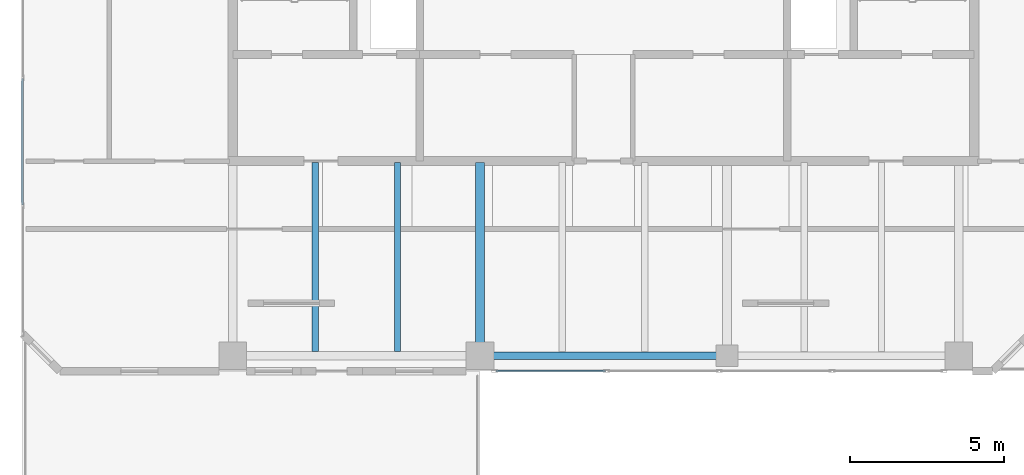
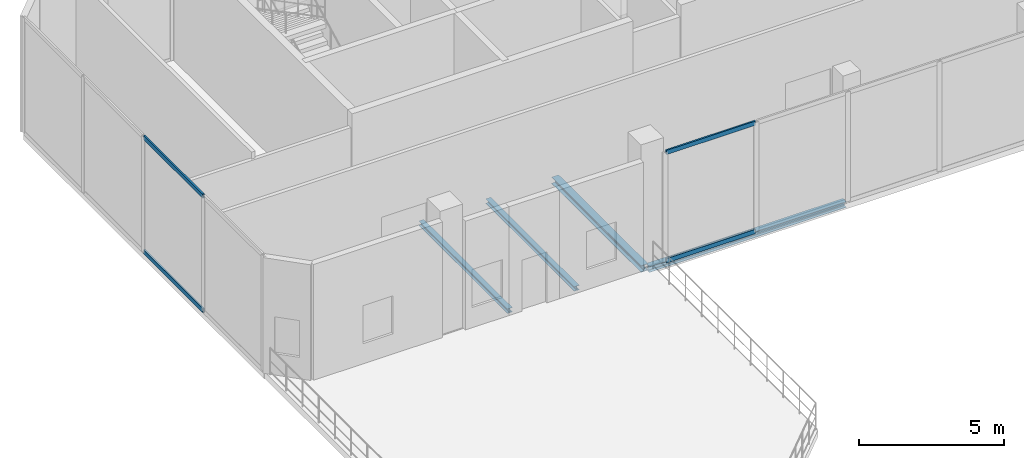
# One storey, part 3 of 11: 4 beams, 4 members, 2 elements without a shape of their own.
"""IFC4 building model written with IfcOpenShell, lengths in metres."""

from ifc_helpers import new_model, si_unit, direction, frame, origin, origin_2d, place, context, subcontext, project, spatial, hollow_rectangle, i_section, extrude, material, layer, layer_set, material_profile, profile_set, type_object, element, aggregate, save


model = new_model("IFC4")

# Units and contexts
model_context = context("Model", 3, precision=1e-05, world=origin(), true_north=direction((0.0, 1.0)))
body_context = subcontext(model_context, "Body", "Model", "MODEL_VIEW")
ifc_project = project(units=[si_unit("LENGTHUNIT", "METRE"), si_unit("AREAUNIT", "SQUARE_METRE"), si_unit("VOLUMEUNIT", "CUBIC_METRE"), si_unit("PLANEANGLEUNIT", "RADIAN"), si_unit("MASSUNIT", "GRAM", prefix="KILO")], contexts=[model_context])

# Site, building, storey
site_placement = place(None, origin())
site = spatial("IfcSite", under=ifc_project, at=site_placement, CompositionType="ELEMENT")
building_placement = place(site_placement, origin())
building = spatial("IfcBuilding", under=site, at=building_placement, Name="Catumbela Crestline Tower", CompositionType="ELEMENT")
storey_placement = place(building_placement, frame((0.0, 0.0, 290.6)))
storey = spatial("IfcBuildingStorey", under=building, at=storey_placement, Name="L75", CompositionType="ELEMENT", Elevation=290.6)

# Beams
ifc_material_1 = material(Name="Structural steel S355J2", Category="steel")
ifc_material_profile_1 = material_profile(ifc_material_1, i_section(OverallWidth=0.28, OverallDepth=0.28, WebThickness=0.0105, FlangeThickness=0.018, FilletRadius=0.024, at=origin_2d()), Name="HEB 280")
ifc_profile_set_1 = profile_set([ifc_material_profile_1], Name="Structural steel S355J2")
beam_type_1 = type_object("IfcBeamType", Name="BG-HEB280", PredefinedType="BEAM", material=ifc_profile_set_1)
beam_1_placement = place(storey_placement, frame((24.0, 24.58, -0.46), z_axis=(0.0, 1.0, 0.0), x_axis=(-1.0, 0.0, 0.0)))
element("IfcBeam", 1, at=beam_1_placement, inside=storey, type_object=beam_type_1, Name="L75 Beam BM-L75-SNS05", PredefinedType="BEAM", context=body_context, shape_type="SweptSolid", body=[
    extrude(i_section(OverallWidth=0.28, OverallDepth=0.28, WebThickness=0.0105, FlangeThickness=0.018, FilletRadius=0.024, at=origin_2d()), origin(), (0.0, 0.0, 1.0), 6.17),
])
ifc_material_profile_2 = material_profile(ifc_material_1, i_section(OverallWidth=0.2, OverallDepth=0.19, WebThickness=0.0065, FlangeThickness=0.01, FilletRadius=0.018, at=origin_2d()), Name="HEA 200")
ifc_profile_set_2 = profile_set([ifc_material_profile_2], Name="Structural steel S355J2")
beam_type_2 = type_object("IfcBeamType", Name="BJ-HEA200", PredefinedType="JOIST", material=ifc_profile_set_2)
for number, where, z_axis, x_axis, name in (
    (2, (18.667, 24.637, -0.415), (0.0, 1.0, 0.0), (-1.0, 0.0, 0.0), "L75 Joist JS-L75-SP08"),
    (3, (21.333, 24.637, -0.415), (0.0, 1.0, 0.0), (-1.0, 0.0, 0.0), "L75 Joist JS-L75-SP09"),
):
    element("IfcBeam", number, at=place(storey_placement, frame(where, z_axis=z_axis, x_axis=x_axis)), inside=storey, type_object=beam_type_2, Name=name, PredefinedType="JOIST", context=body_context, shape_type="SweptSolid", body=[
        extrude(i_section(OverallWidth=0.2, OverallDepth=0.19, WebThickness=0.0065, FlangeThickness=0.01, FilletRadius=0.018, at=origin_2d()), origin(), (0.0, 0.0, 1.0), 6.113),
    ])
ifc_material_profile_3 = material_profile(ifc_material_1, i_section(OverallWidth=0.24, OverallDepth=0.24, WebThickness=0.01, FlangeThickness=0.017, FilletRadius=0.021, at=origin_2d()), Name="HEB 240")
ifc_profile_set_3 = profile_set([ifc_material_profile_3], Name="Structural steel S355J2")
beam_type_3 = type_object("IfcBeamType", Name="BS-HEB240", PredefinedType="SPANDREL", material=ifc_profile_set_3)
beam_2_placement = place(storey_placement, frame((24.08, 24.5, -0.44), z_axis=(1.0, 0.0, 0.0), x_axis=(0.0, 1.0, 0.0)))
element("IfcBeam", 4, at=beam_2_placement, inside=storey, type_object=beam_type_3, Name="L75 Spandrel SP-L75-S02", PredefinedType="SPANDREL", context=body_context, shape_type="SweptSolid", body=[
    extrude(i_section(OverallWidth=0.24, OverallDepth=0.24, WebThickness=0.01, FlangeThickness=0.017, FilletRadius=0.021, at=origin_2d()), origin(), (0.0, 0.0, 1.0), 7.84),
])

# Curtain wall, members
ifc_material_2 = material(Name="Aluminium alloy AW-6060-T66", Category="aluminium")
ifc_layer = layer(ifc_material_2, 0.18, Name="Aluminium alloy AW-6060-T66")
ifc_layer_set = layer_set([ifc_layer], Name="Aluminium alloy AW-6060-T66")
curtain_wall_type = type_object("IfcCurtainWallType", Name="CWS-OBS", PredefinedType="USERDEFINED", material=ifc_layer_set)
curtain_wall_1_placement = place(storey_placement, origin())
curtain_wall_1 = element("IfcCurtainWall", 5, at=curtain_wall_1_placement, inside=storey, type_object=curtain_wall_type, Name="L75 Stick Curtain Wall CW-L75-E0S4", ObjectType="STICK", PredefinedType="USERDEFINED")
ifc_material_profile_4 = material_profile(ifc_material_2, hollow_rectangle(XDim=0.065, YDim=0.18, WallThickness=0.004, at=origin_2d()), Name="ALU 180x65x4")
ifc_profile_set_4 = profile_set([ifc_material_profile_4], Name="Aluminium alloy AW-6060-T66")
member_type = type_object("IfcMemberType", Name="TRN-180X65", PredefinedType="USERDEFINED", material=ifc_profile_set_4)
member_1_placement = place(storey_placement, frame((24.515, 24.0, 0.03), z_axis=(1.0, 0.0, 0.0), x_axis=(0.0, 1.0, 0.0)))
member_1 = element("IfcMember", 6, at=member_1_placement, type_object=member_type, Name="CWS-OBS transom 1.1", ObjectType="TRANSOM", PredefinedType="USERDEFINED", context=body_context, shape_type="SweptSolid", body=[
    extrude(hollow_rectangle(XDim=0.065, YDim=0.18, WallThickness=0.004, at=origin_2d()), origin(), (0.0, 0.0, 1.0), 3.5525),
])
member_2_placement = place(storey_placement, frame((24.515, 24.0, 4.59), z_axis=(1.0, 0.0, 0.0), x_axis=(0.0, 1.0, 0.0)))
member_2 = element("IfcMember", 7, at=member_2_placement, type_object=member_type, Name="CWS-OBS transom 1.2", ObjectType="TRANSOM", PredefinedType="USERDEFINED", context=body_context, shape_type="SweptSolid", body=[
    extrude(hollow_rectangle(XDim=0.065, YDim=0.18, WallThickness=0.004, at=origin_2d()), origin(), (0.0, 0.0, 1.0), 3.5525),
])
aggregate(curtain_wall_1, [member_1, member_2])

curtain_wall_2_placement = place(storey_placement, origin())
curtain_wall_2 = element("IfcCurtainWall", 8, at=curtain_wall_2_placement, inside=storey, type_object=curtain_wall_type, Name="L75 Stick Curtain Wall CW-L75-E6S1", ObjectType="STICK", PredefinedType="USERDEFINED")
member_3_placement = place(storey_placement, frame((9.2, 33.4675, 0.03), z_axis=(0.0, -1.0, 0.0), x_axis=(1.0, 0.0, 0.0)))
member_3 = element("IfcMember", 9, at=member_3_placement, type_object=member_type, Name="CWS-OBS transom 3.1", ObjectType="TRANSOM", PredefinedType="USERDEFINED", context=body_context, shape_type="SweptSolid", body=[
    extrude(hollow_rectangle(XDim=0.065, YDim=0.18, WallThickness=0.004, at=origin_2d()), origin(), (0.0, 0.0, 1.0), 4.085),
])
member_4_placement = place(storey_placement, frame((9.2, 33.4675, 4.84), z_axis=(0.0, -1.0, 0.0), x_axis=(1.0, 0.0, 0.0)))
member_4 = element("IfcMember", 10, at=member_4_placement, type_object=member_type, Name="CWS-OBS transom 3.2", ObjectType="TRANSOM", PredefinedType="USERDEFINED", context=body_context, shape_type="SweptSolid", body=[
    extrude(hollow_rectangle(XDim=0.065, YDim=0.18, WallThickness=0.004, at=origin_2d()), origin(), (0.0, 0.0, 1.0), 4.085),
])
aggregate(curtain_wall_2, [member_3, member_4])

save(model, "model.ifc")
